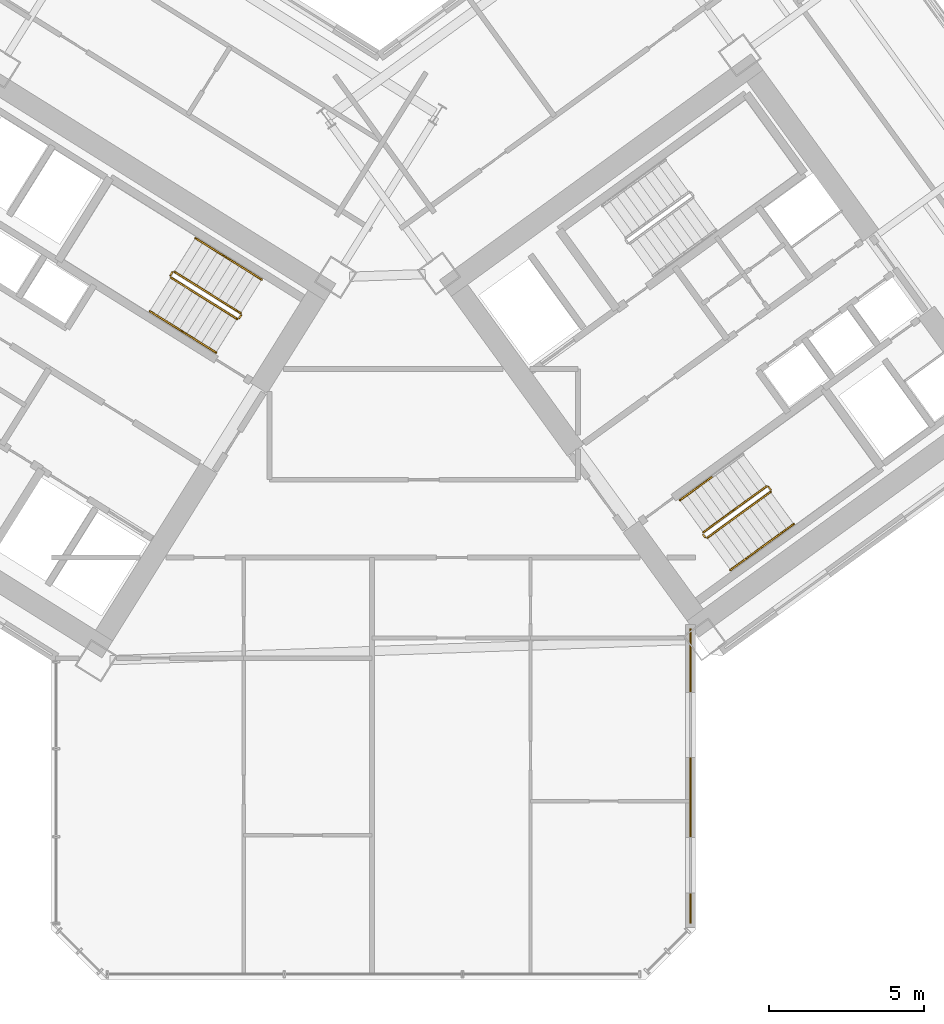
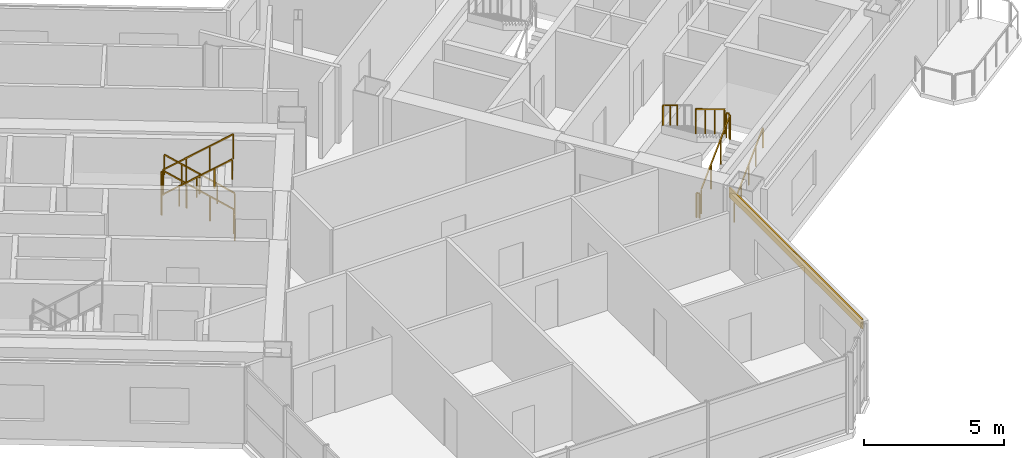
# One storey, part 19 of 21: 15 railings, 1 covering.
"""IFC4 building model written with IfcOpenShell, lengths in metres."""

from ifc_helpers import new_model, si_unit, direction, frame, origin, origin_2d, place, context, subcontext, project, spatial, rectangle, extrude, source, transform, mapped, material, layer, layer_set, type_object, element, save


model = new_model("IFC4")

# Units and contexts
model_context = context("Model", 3, precision=1e-05, world=origin(), true_north=direction((0.0, 1.0)))
body_context = subcontext(model_context, "Body", "Model", "MODEL_VIEW")
ifc_project = project(units=[si_unit("LENGTHUNIT", "METRE"), si_unit("AREAUNIT", "SQUARE_METRE"), si_unit("VOLUMEUNIT", "CUBIC_METRE"), si_unit("PLANEANGLEUNIT", "RADIAN"), si_unit("MASSUNIT", "GRAM", prefix="KILO")], contexts=[model_context])

# Site, building, storey
site_placement = place(None, origin())
site = spatial("IfcSite", under=ifc_project, at=site_placement, CompositionType="ELEMENT")
building_placement = place(site_placement, origin())
building = spatial("IfcBuilding", under=site, at=building_placement, Name="Tlacorven Tower", CompositionType="ELEMENT")
storey_placement = place(building_placement, frame((0.0, 0.0, 81.0)))
storey = spatial("IfcBuildingStorey", under=building, at=storey_placement, Name="L20", CompositionType="ELEMENT", Elevation=81.0)

# Covering
ifc_material_1 = material(Name="Precast concrete C45/55", Category="concrete")
ifc_layer = layer(ifc_material_1, 0.06005859375)
ifc_layer_set = layer_set([ifc_layer], Name="Precast concrete C45/55")
covering_type = type_object("IfcCoveringType", Name="CV-CLD-TERC", PredefinedType="CLADDING", material=ifc_layer_set)
shared_shape_1 = source(origin(), body_context, "Body", "SweptSolid", [
    extrude(rectangle(XDim=9.49462890625, YDim=0.06005859375, at=origin_2d()), origin(), (0.0, 0.0, 1.0), 0.419921875),
])
covering_placement = place(storey_placement, frame((52.239990234375, 8.363525390625, 2.900146484375), z_axis=(0.0, 0.0, 1.0), x_axis=(0.0, -1.0, 0.0)))
element("IfcCovering", 1, at=covering_placement, inside=storey, type_object=covering_type, Name="L20 Masonry-Frame Spandrel Cladding 7", PredefinedType="CLADDING", context=body_context, shape_type="MappedRepresentation", body=[
    mapped(shared_shape_1, transform((0.0, 0.0, 0.0), scale=1.0)),
])

# Railings
ifc_material_2 = material(Name="Aluminium and painted steel balustrade", Category="steel")
railing_type_1 = type_object("IfcRailingType", Name="RL-GRD-1100", PredefinedType="GUARDRAIL", material=ifc_material_2)
shared_shape_2 = source(origin(), body_context, "Body", "SweptSolid", [
    extrude(rectangle(XDim=0.048095703125, YDim=0.048095703125, at=origin_2d()), frame((0.0, 0.0, 1.076171875), z_axis=(-0.713319727316, 0.445773895627, 0.540796265334), x_axis=(-0.529955395941, -0.84802551749, 0.0)), (0.0, 0.0, 1.0), 2.995849609375),
    extrude(rectangle(XDim=0.0419921875, YDim=0.0419921875, at=origin_2d()), origin(), (0.0, 0.0, 1.0), 1.052001953125),
    extrude(rectangle(XDim=0.0419921875, YDim=0.0419921875, at=origin_2d()), frame((-0.71240234375, 0.445068359375, 0.5400390625)), (0.0, 0.0, 1.0), 1.052001953125),
    extrude(rectangle(XDim=0.0419921875, YDim=0.0419921875, at=origin_2d()), frame((-1.424560546875, 0.890380859375, 1.080078125)), (0.0, 0.0, 1.0), 1.052001953125),
    extrude(rectangle(XDim=0.0419921875, YDim=0.0419921875, at=origin_2d()), frame((-2.136962890625, 1.33544921875, 1.6201171875)), (0.0, 0.0, 1.0), 1.052001953125),
])
railing_1_placement = place(storey_placement, frame((37.712158203125, 23.3095703125, 0.179931640625)))
element("IfcRailing", 2, at=railing_1_placement, inside=storey, type_object=railing_type_1, Name="L20 ST-W2 stair guard 1", PredefinedType="GUARDRAIL", context=body_context, shape_type="MappedRepresentation", body=[
    mapped(shared_shape_2, transform((0.0, 0.0, 0.0), scale=1.0)),
])
shared_shape_3 = source(origin(), body_context, "Body", "SweptSolid", [
    extrude(rectangle(XDim=0.048095703125, YDim=0.048095703125, at=origin_2d()), frame((0.0, 0.0, 1.076171875), z_axis=(-0.530546985787, -0.847655529016, 0.0), x_axis=(0.847655529016, -0.530546985787, 0.0)), (0.0, 0.0, 1.0), 0.1201171875),
    extrude(rectangle(XDim=0.0419921875, YDim=0.0419921875, at=origin_2d()), origin(), (0.0, 0.0, 1.0), 1.052001953125),
    extrude(rectangle(XDim=0.0419921875, YDim=0.0419921875, at=origin_2d()), frame((-0.063720703125, -0.101806640625, 0.0)), (0.0, 0.0, 1.0), 1.052001953125),
])
railing_2_placement = place(storey_placement, frame((37.728271484375, 23.24072265625, 0.0)))
element("IfcRailing", 3, at=railing_2_placement, inside=storey, type_object=railing_type_1, Name="L20 ST-W2 stair guard 4", PredefinedType="GUARDRAIL", context=body_context, shape_type="MappedRepresentation", body=[
    mapped(shared_shape_3, transform((0.0, 0.0, 0.0), scale=1.0)),
])
railing_type_2 = type_object("IfcRailingType", Name="RL-HND-0900", PredefinedType="HANDRAIL", material=ifc_material_2)
shared_shape_4 = source(origin(), body_context, "Body", "SweptSolid", [
    extrude(rectangle(XDim=0.048095703125, YDim=0.048095703125, at=origin_2d()), frame((0.0, 0.0, 0.8759765625), z_axis=(-0.713359751793, 0.4457479829, 0.540764828981), x_axis=(-0.529911857636, -0.848052724267, 0.0)), (0.0, 0.0, 1.0), 1.498046875),
    extrude(rectangle(XDim=0.0419921875, YDim=0.0419921875, at=origin_2d()), origin(), (0.0, 0.0, 1.0), 0.851806640625),
    extrude(rectangle(XDim=0.0419921875, YDim=0.0419921875, at=origin_2d()), frame((-0.5341796875, 0.333984375, 0.405029296875)), (0.0, 0.0, 1.0), 0.851806640625),
    extrude(rectangle(XDim=0.0419921875, YDim=0.0419921875, at=origin_2d()), frame((-1.068603515625, 0.667724609375, 0.81005859375)), (0.0, 0.0, 1.0), 0.851806640625),
])
for number, where, name in (
    (4, (38.390625, 24.39501953125, 0.179931640625), "L20 ST-W2 stair handrail 1"),
    (5, (37.322021484375, 25.062744140625, 0.989990234375), "L20 ST-W2 stair handrail 2"),
):
    element("IfcRailing", number, at=place(storey_placement, frame(where)), inside=storey, type_object=railing_type_2, Name=name, PredefinedType="HANDRAIL", context=body_context, shape_type="MappedRepresentation", body=[
        mapped(shared_shape_4, transform((0.0, 0.0, 0.0), scale=1.0)),
    ])
shared_shape_5 = source(origin(), body_context, "Body", "SweptSolid", [
    extrude(rectangle(XDim=0.048095703125, YDim=0.048095703125, at=origin_2d()), frame((0.0, 0.0, 0.8759765625), z_axis=(0.713359751793, -0.4457479829, 0.540764828981), x_axis=(0.529911857636, 0.848052724267, 0.0)), (0.0, 0.0, 1.0), 1.498046875),
    extrude(rectangle(XDim=0.0419921875, YDim=0.0419921875, at=origin_2d()), origin(), (0.0, 0.0, 1.0), 0.851806640625),
    extrude(rectangle(XDim=0.0419921875, YDim=0.0419921875, at=origin_2d()), frame((0.5341796875, -0.333984375, 0.405029296875)), (0.0, 0.0, 1.0), 0.851806640625),
    extrude(rectangle(XDim=0.0419921875, YDim=0.0419921875, at=origin_2d()), frame((1.068603515625, -0.667724609375, 0.81005859375)), (0.0, 0.0, 1.0), 0.851806640625),
])
for number, where, name in (
    (6, (34.7802734375, 23.372802734375, 1.97998046875), "L20 ST-W2 stair handrail 3"),
    (7, (35.848876953125, 22.705078125, 2.7900390625), "L20 ST-W2 stair handrail 4"),
):
    element("IfcRailing", number, at=place(storey_placement, frame(where)), inside=storey, type_object=railing_type_2, Name=name, PredefinedType="HANDRAIL", context=body_context, shape_type="MappedRepresentation", body=[
        mapped(shared_shape_5, transform((0.0, 0.0, 0.0), scale=1.0)),
    ])
shared_shape_6 = source(origin(), body_context, "Body", "SweptSolid", [
    extrude(rectangle(XDim=0.048095703125, YDim=0.048095703125, at=origin_2d()), frame((0.0, 0.0, 1.076171875), z_axis=(-0.531462422766, -0.847081869236, 0.0), x_axis=(0.847081869236, -0.531462422766, 0.0)), (0.0, 0.0, 1.0), 0.119873046875),
    extrude(rectangle(XDim=0.0419921875, YDim=0.0419921875, at=origin_2d()), origin(), (0.0, 0.0, 1.0), 1.052001953125),
    extrude(rectangle(XDim=0.0419921875, YDim=0.0419921875, at=origin_2d()), frame((-0.063720703125, -0.1015625, 0.0)), (0.0, 0.0, 1.0), 1.052001953125),
])
railing_3_placement = place(storey_placement, frame((35.50634765625, 24.62890625, 1.800048828125)))
element("IfcRailing", 8, at=railing_3_placement, inside=storey, type_object=railing_type_1, Name="L20 ST-W2 stair guard 2", PredefinedType="GUARDRAIL", context=body_context, shape_type="MappedRepresentation", body=[
    mapped(shared_shape_6, transform((0.0, 0.0, 0.0), scale=1.0)),
])
shared_shape_7 = source(origin(), body_context, "Body", "SweptSolid", [
    extrude(rectangle(XDim=0.048095703125, YDim=0.048095703125, at=origin_2d()), frame((0.0, 0.0, 1.076171875), z_axis=(0.713385662783, -0.445682681033, 0.540784470897), x_axis=(0.52984217967, 0.848096259066, 0.0)), (0.0, 0.0, 1.0), 2.995849609375),
    extrude(rectangle(XDim=0.0419921875, YDim=0.0419921875, at=origin_2d()), origin(), (0.0, 0.0, 1.0), 1.052001953125),
    extrude(rectangle(XDim=0.0419921875, YDim=0.0419921875, at=origin_2d()), frame((0.71240234375, -0.445068359375, 0.5400390625)), (0.0, 0.0, 1.0), 1.052001953125),
    extrude(rectangle(XDim=0.0419921875, YDim=0.0419921875, at=origin_2d()), frame((1.4248046875, -0.89013671875, 1.080078125)), (0.0, 0.0, 1.0), 1.052001953125),
    extrude(rectangle(XDim=0.0419921875, YDim=0.0419921875, at=origin_2d()), frame((2.13720703125, -1.335205078125, 1.6201171875)), (0.0, 0.0, 1.0), 1.052001953125),
])
railing_4_placement = place(storey_placement, frame((35.45849609375, 24.458251953125, 1.97998046875)))
element("IfcRailing", 9, at=railing_4_placement, inside=storey, type_object=railing_type_1, Name="L20 ST-W2 stair guard 3", PredefinedType="GUARDRAIL", context=body_context, shape_type="MappedRepresentation", body=[
    mapped(shared_shape_7, transform((0.0, 0.0, 0.0), scale=1.0)),
])
shared_shape_8 = source(origin(), body_context, "Body", "SweptSolid", [
    extrude(rectangle(XDim=0.048095703125, YDim=0.048095703125, at=origin_2d()), frame((0.0, 0.0, 1.076171875), z_axis=(-0.587567097037, 0.809175448515, 0.0), x_axis=(-0.809175448515, -0.587567097037, 0.0)), (0.0, 0.0, 1.0), 0.1201171875),
    extrude(rectangle(XDim=0.0419921875, YDim=0.0419921875, at=origin_2d()), origin(), (0.0, 0.0, 1.0), 1.052001953125),
    extrude(rectangle(XDim=0.0419921875, YDim=0.0419921875, at=origin_2d()), frame((-0.070556640625, 0.09716796875, 0.0)), (0.0, 0.0, 1.0), 1.052001953125),
])
for number, where, name in (
    (10, (54.8310546875, 17.605712890625, 1.800048828125), "L20 ST-E2 stair guard 2"),
    (11, (52.71142578125, 16.065673828125, 0.0), "L20 ST-E2 stair guard 4"),
):
    element("IfcRailing", number, at=place(storey_placement, frame(where)), inside=storey, type_object=railing_type_1, Name=name, PredefinedType="GUARDRAIL", context=body_context, shape_type="MappedRepresentation", body=[
        mapped(shared_shape_8, transform((0.0, 0.0, 0.0), scale=1.0)),
    ])
shared_shape_9 = source(origin(), body_context, "Body", "SweptSolid", [
    extrude(rectangle(XDim=0.048095703125, YDim=0.048095703125, at=origin_2d()), frame((0.0, 0.0, 0.8759765625), z_axis=(0.680516055757, 0.494372502302, 0.540826891737), x_axis=(-0.587745292299, 0.809046025502, 0.0)), (0.0, 0.0, 1.0), 1.497802734375),
    extrude(rectangle(XDim=0.0419921875, YDim=0.0419921875, at=origin_2d()), origin(), (0.0, 0.0, 1.0), 0.851806640625),
    extrude(rectangle(XDim=0.0419921875, YDim=0.0419921875, at=origin_2d()), frame((0.509765625, 0.3701171875, 0.405029296875)), (0.0, 0.0, 1.0), 0.851806640625),
    extrude(rectangle(XDim=0.0419921875, YDim=0.0419921875, at=origin_2d()), frame((1.019287109375, 0.740478515625, 0.81005859375)), (0.0, 0.0, 1.0), 0.851806640625),
])
railing_5_placement = place(storey_placement, frame((54.552978515625, 15.759765625, 0.989990234375)))
element("IfcRailing", 12, at=railing_5_placement, inside=storey, type_object=railing_type_2, Name="L20 ST-E2 stair handrail 2", PredefinedType="HANDRAIL", context=body_context, shape_type="MappedRepresentation", body=[
    mapped(shared_shape_9, transform((0.0, 0.0, 0.0), scale=1.0)),
])
shared_shape_10 = source(origin(), body_context, "Body", "SweptSolid", [
    extrude(rectangle(XDim=0.048095703125, YDim=0.048095703125, at=origin_2d()), frame((0.0, 0.0, 0.8759765625), z_axis=(-0.680461216233, -0.494495647917, 0.540783309093), x_axis=(0.587872112667, -0.808953879494, 0.0)), (0.0, 0.0, 1.0), 1.498046875),
    extrude(rectangle(XDim=0.0419921875, YDim=0.0419921875, at=origin_2d()), origin(), (0.0, 0.0, 1.0), 0.851806640625),
    extrude(rectangle(XDim=0.0419921875, YDim=0.0419921875, at=origin_2d()), frame((-0.509765625, -0.370361328125, 0.405029296875)), (0.0, 0.0, 1.0), 0.851806640625),
    extrude(rectangle(XDim=0.0419921875, YDim=0.0419921875, at=origin_2d()), frame((-1.019287109375, -0.74072265625, 0.81005859375)), (0.0, 0.0, 1.0), 0.851806640625),
])
railing_6_placement = place(storey_placement, frame((52.9189453125, 18.0087890625, 2.7900390625)))
element("IfcRailing", 13, at=railing_6_placement, inside=storey, type_object=railing_type_2, Name="L20 ST-E2 stair handrail 4", PredefinedType="HANDRAIL", context=body_context, shape_type="MappedRepresentation", body=[
    mapped(shared_shape_10, transform((0.0, 0.0, 0.0), scale=1.0)),
])
shared_shape_11 = source(origin(), body_context, "Body", "SweptSolid", [
    extrude(rectangle(XDim=0.048095703125, YDim=0.048095703125, at=origin_2d()), frame((0.0, 0.0, 1.076171875), z_axis=(0.680532390839, 0.494406659708, 0.54077511024), x_axis=(-0.587762637553, 0.809033424462, 0.0)), (0.0, 0.0, 1.0), 2.995849609375),
    extrude(rectangle(XDim=0.0419921875, YDim=0.0419921875, at=origin_2d()), origin(), (0.0, 0.0, 1.0), 1.052001953125),
    extrude(rectangle(XDim=0.0419921875, YDim=0.0419921875, at=origin_2d()), frame((0.6796875, 0.49365234375, 0.5400390625)), (0.0, 0.0, 1.0), 1.052001953125),
    extrude(rectangle(XDim=0.0419921875, YDim=0.0419921875, at=origin_2d()), frame((1.359130859375, 0.987548828125, 1.080078125)), (0.0, 0.0, 1.0), 1.052001953125),
    extrude(rectangle(XDim=0.0419921875, YDim=0.0419921875, at=origin_2d()), frame((2.038818359375, 1.481201171875, 1.6201171875)), (0.0, 0.0, 1.0), 1.052001953125),
])
railing_7_placement = place(storey_placement, frame((52.78125, 16.0546875, 0.179931640625)))
element("IfcRailing", 14, at=railing_7_placement, inside=storey, type_object=railing_type_1, Name="L20 ST-E2 stair guard 1", PredefinedType="GUARDRAIL", context=body_context, shape_type="MappedRepresentation", body=[
    mapped(shared_shape_11, transform((0.0, 0.0, 0.0), scale=1.0)),
])
shared_shape_12 = source(origin(), body_context, "Body", "SweptSolid", [
    extrude(rectangle(XDim=0.048095703125, YDim=0.048095703125, at=origin_2d()), frame((0.0, 0.0, 1.076171875), z_axis=(-0.680532390839, -0.494406659708, 0.54077511024), x_axis=(0.587762637553, -0.809033424462, 0.0)), (0.0, 0.0, 1.0), 2.995849609375),
    extrude(rectangle(XDim=0.0419921875, YDim=0.0419921875, at=origin_2d()), origin(), (0.0, 0.0, 1.0), 1.052001953125),
    extrude(rectangle(XDim=0.0419921875, YDim=0.0419921875, at=origin_2d()), frame((-0.6796875, -0.49365234375, 0.5400390625)), (0.0, 0.0, 1.0), 1.052001953125),
    extrude(rectangle(XDim=0.0419921875, YDim=0.0419921875, at=origin_2d()), frame((-1.359130859375, -0.987548828125, 1.080078125)), (0.0, 0.0, 1.0), 1.052001953125),
    extrude(rectangle(XDim=0.0419921875, YDim=0.0419921875, at=origin_2d()), frame((-2.038818359375, -1.481201171875, 1.6201171875)), (0.0, 0.0, 1.0), 1.052001953125),
])
railing_8_placement = place(storey_placement, frame((54.690673828125, 17.7138671875, 1.97998046875)))
element("IfcRailing", 15, at=railing_8_placement, inside=storey, type_object=railing_type_1, Name="L20 ST-E2 stair guard 3", PredefinedType="GUARDRAIL", context=body_context, shape_type="MappedRepresentation", body=[
    mapped(shared_shape_12, transform((0.0, 0.0, 0.0), scale=1.0)),
])
shared_shape_13 = source(origin(), body_context, "Body", "SweptSolid", [
    extrude(rectangle(XDim=0.048095703125, YDim=0.048095703125, at=origin_2d()), frame((0.0, 0.0, 0.8759765625), z_axis=(0.680461216233, 0.494495647917, 0.540783309093), x_axis=(-0.587872112667, 0.808953879494, 0.0)), (0.0, 0.0, 1.0), 1.498046875),
    extrude(rectangle(XDim=0.0419921875, YDim=0.0419921875, at=origin_2d()), origin(), (0.0, 0.0, 1.0), 0.851806640625),
    extrude(rectangle(XDim=0.0419921875, YDim=0.0419921875, at=origin_2d()), frame((0.509765625, 0.370361328125, 0.405029296875)), (0.0, 0.0, 1.0), 0.851806640625),
    extrude(rectangle(XDim=0.0419921875, YDim=0.0419921875, at=origin_2d()), frame((1.019287109375, 0.74072265625, 0.81005859375)), (0.0, 0.0, 1.0), 0.851806640625),
])
railing_9_placement = place(storey_placement, frame((53.53369140625, 15.01904296875, 0.179931640625)))
element("IfcRailing", 16, at=railing_9_placement, inside=storey, type_object=railing_type_2, Name="L20 ST-E2 stair handrail 1", PredefinedType="HANDRAIL", context=body_context, shape_type="MappedRepresentation", body=[
    mapped(shared_shape_13, transform((0.0, 0.0, 0.0), scale=1.0)),
])

save(model, "model.ifc")
